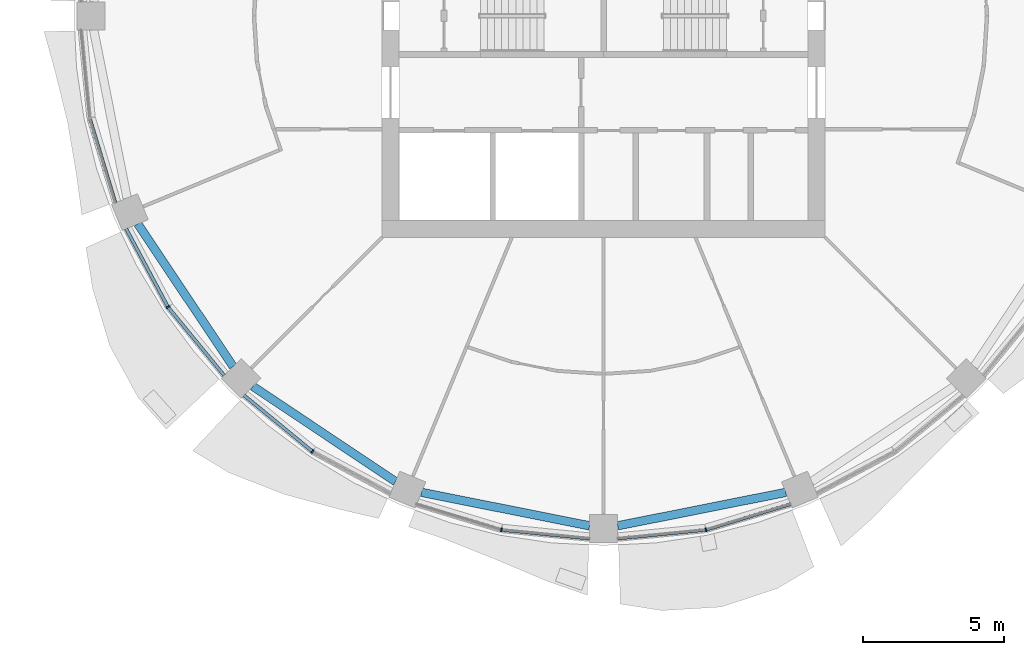
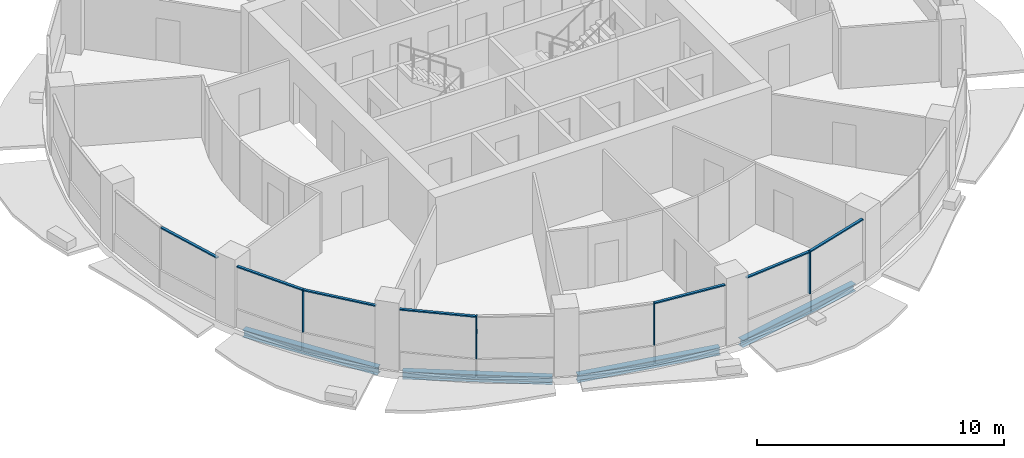
# One storey, part 2 of 15: 11 members, 4 beams, 5 elements without a shape of their own.
"""IFC4 building model written with IfcOpenShell, lengths in metres."""

from ifc_helpers import new_model, si_unit, direction, frame, origin, origin_2d, place, context, subcontext, project, spatial, rectangle, i_section, extrude, material, material_profile, profile_set, type_object, element, aggregate, save


model = new_model("IFC4")

# Units and contexts
model_context = context("Model", 3, precision=1e-05, world=origin(), true_north=direction((0.0, 1.0)))
body_context = subcontext(model_context, "Body", "Model", "MODEL_VIEW")
ifc_project = project(units=[si_unit("LENGTHUNIT", "METRE"), si_unit("AREAUNIT", "SQUARE_METRE"), si_unit("VOLUMEUNIT", "CUBIC_METRE"), si_unit("PLANEANGLEUNIT", "RADIAN"), si_unit("MASSUNIT", "GRAM", prefix="KILO")], contexts=[model_context])

# Site, building, storey
site_placement = place(None, origin())
site = spatial("IfcSite", under=ifc_project, at=site_placement, CompositionType="ELEMENT")
building_placement = place(site_placement, origin())
building = spatial("IfcBuilding", under=site, at=building_placement, Name="Polderwave Tower", CompositionType="ELEMENT")
storey_placement = place(building_placement, frame((0.0, 0.0, 157.800048828125)))
storey = spatial("IfcBuildingStorey", under=building, at=storey_placement, Name="L42", CompositionType="ELEMENT", Elevation=157.800048828125)

# Curtain wall, member
ifc_material_1 = material(Name="Aluminium 6063-T6 and glass", Category="aluminium")
curtain_wall_type = type_object("IfcCurtainWallType", Name="Office ribbon glazing wall", PredefinedType="NOTDEFINED", material=ifc_material_1)
curtain_wall_1_placement = place(storey_placement, origin())
curtain_wall_1 = element("IfcCurtainWall", 1, at=curtain_wall_1_placement, inside=storey, type_object=curtain_wall_type, Name="CW3 L42 09", PredefinedType="NOTDEFINED")
ifc_material_2 = material(Name="Aluminium 6063-T6", Category="aluminium")
ifc_material_profile_1 = material_profile(ifc_material_2, rectangle(XDim=0.139892578125, YDim=0.054931640625, at=origin_2d()), Name="AL 55x140")
ifc_profile_set_1 = profile_set([ifc_material_profile_1], Name="Aluminium 6063-T6")
member_type_1 = type_object("IfcMemberType", Name="Office ribbon glazing mullion 55x140", PredefinedType="MULLION", material=ifc_profile_set_1)
member_1_placement = place(storey_placement, frame((-15.489990234375, -10.35009765625, 0.89990234375), z_axis=(0.0, 0.0, 1.0), x_axis=(0.831484156812, 0.555548465006, 0.0)))
member_1 = element("IfcMember", 2, at=member_1_placement, type_object=member_type_1, Name="CW3 mullion 1", PredefinedType="MULLION", context=body_context, shape_type="SweptSolid", body=[
    extrude(rectangle(XDim=0.139892578125, YDim=0.054931640625, at=origin_2d()), origin(), (0.0, 0.0, 1.0), 2.10009765625),
])

curtain_wall_2_placement = place(storey_placement, origin())
curtain_wall_2 = element("IfcCurtainWall", 3, at=curtain_wall_2_placement, inside=storey, type_object=curtain_wall_type, Name="CW3 L42 10", PredefinedType="NOTDEFINED")
member_2_placement = place(storey_placement, frame((-10.35009765625, -15.489990234375, 0.89990234375), z_axis=(0.0, 0.0, 1.0), x_axis=(0.555548465006, 0.831484156812, 0.0)))
member_2 = element("IfcMember", 4, at=member_2_placement, type_object=member_type_1, Name="CW3 mullion 1", PredefinedType="MULLION", context=body_context, shape_type="SweptSolid", body=[
    extrude(rectangle(XDim=0.139892578125, YDim=0.054931640625, at=origin_2d()), origin(), (0.0, 0.0, 1.0), 2.10009765625),
])

curtain_wall_3_placement = place(storey_placement, origin())
curtain_wall_3 = element("IfcCurtainWall", 5, at=curtain_wall_3_placement, inside=storey, type_object=curtain_wall_type, Name="CW3 L42 11", PredefinedType="NOTDEFINED")
member_3_placement = place(storey_placement, frame((-3.635009765625, -18.27197265625, 0.89990234375), z_axis=(0.0, 0.0, 1.0), x_axis=(0.195083474838, 0.980786642367, 0.0)))
member_3 = element("IfcMember", 6, at=member_3_placement, type_object=member_type_1, Name="CW3 mullion 1", PredefinedType="MULLION", context=body_context, shape_type="SweptSolid", body=[
    extrude(rectangle(XDim=0.139892578125, YDim=0.054931640625, at=origin_2d()), origin(), (0.0, 0.0, 1.0), 2.10009765625),
])

curtain_wall_4_placement = place(storey_placement, origin())
curtain_wall_4 = element("IfcCurtainWall", 7, at=curtain_wall_4_placement, inside=storey, type_object=curtain_wall_type, Name="CW3 L42 12", PredefinedType="NOTDEFINED")
member_4_placement = place(storey_placement, frame((3.635009765625, -18.27197265625, 0.89990234375), z_axis=(0.0, 0.0, 1.0), x_axis=(-0.195083474838, 0.980786642367, 0.0)))
member_4 = element("IfcMember", 8, at=member_4_placement, type_object=member_type_1, Name="CW3 mullion 1", PredefinedType="MULLION", context=body_context, shape_type="SweptSolid", body=[
    extrude(rectangle(XDim=0.139892578125, YDim=0.054931640625, at=origin_2d()), origin(), (0.0, 0.0, 1.0), 2.10009765625),
])

curtain_wall_5_placement = place(storey_placement, origin())
curtain_wall_5 = element("IfcCurtainWall", 9, at=curtain_wall_5_placement, inside=storey, type_object=curtain_wall_type, Name="CW3 L42 08", PredefinedType="NOTDEFINED")
ifc_material_profile_2 = material_profile(ifc_material_2, rectangle(XDim=0.1201171875, YDim=0.06005859375, at=origin_2d()), Name="AL 60x120")
ifc_profile_set_2 = profile_set([ifc_material_profile_2], Name="Aluminium 6063-T6")
member_type_2 = type_object("IfcMemberType", Name="Office ribbon glazing transom 60x120", PredefinedType="USERDEFINED", material=ifc_profile_set_2)
member_5_placement = place(storey_placement, frame((-18.263916015625, -3.661376953125, 2.969970703125), z_axis=(0.290209241883, -0.956963215555, 0.0), x_axis=(0.956963215555, 0.290209241883, 0.0)))
member_5 = element("IfcMember", 10, at=member_5_placement, type_object=member_type_2, Name="CW3 transom 2", ObjectType="TRANSOM", PredefinedType="USERDEFINED", context=body_context, shape_type="SweptSolid", body=[
    extrude(rectangle(XDim=0.1201171875, YDim=0.06005859375, at=origin_2d()), origin(), (0.0, 0.0, 1.0), 3.121826171875),
])
aggregate(curtain_wall_5, [member_5])

# Member
member_6_placement = place(storey_placement, frame((-16.97509765625, -7.572021484375, 2.969970703125), z_axis=(0.471472684712, -0.881880665153, 0.0), x_axis=(0.881880665153, 0.471472684712, 0.0)))
member_6 = element("IfcMember", 11, at=member_6_placement, type_object=member_type_2, Name="CW3 transom 1", ObjectType="TRANSOM", PredefinedType="USERDEFINED", context=body_context, shape_type="SweptSolid", body=[
    extrude(rectangle(XDim=0.1201171875, YDim=0.06005859375, at=origin_2d()), origin(), (0.0, 0.0, 1.0), 3.12255859375),
])

member_7_placement = place(storey_placement, frame((-15.47265625, -10.371337890625, 2.969970703125), z_axis=(0.634382512988, -0.773019292913, 0.0), x_axis=(0.773019292913, 0.634382512988, 0.0)))
member_7 = element("IfcMember", 12, at=member_7_placement, type_object=member_type_2, Name="CW3 transom 2", ObjectType="TRANSOM", PredefinedType="USERDEFINED", context=body_context, shape_type="SweptSolid", body=[
    extrude(rectangle(XDim=0.1201171875, YDim=0.06005859375, at=origin_2d()), origin(), (0.0, 0.0, 1.0), 3.122314453125),
])

aggregate(curtain_wall_1, [member_1, member_6, member_7])

member_8_placement = place(storey_placement, frame((-12.784912109375, -13.491943359375, 2.969970703125), z_axis=(0.773019292913, -0.634382512988, 0.0), x_axis=(0.634382512988, 0.773019292913, 0.0)))
member_8 = element("IfcMember", 13, at=member_8_placement, type_object=member_type_2, Name="CW3 transom 1", ObjectType="TRANSOM", PredefinedType="USERDEFINED", context=body_context, shape_type="SweptSolid", body=[
    extrude(rectangle(XDim=0.1201171875, YDim=0.06005859375, at=origin_2d()), origin(), (0.0, 0.0, 1.0), 3.122314453125),
])

aggregate(curtain_wall_2, [member_2, member_8])

member_9_placement = place(storey_placement, frame((-3.607666015625, -18.274658203125, 2.969970703125), z_axis=(0.995174785119, -0.098118026186, 0.0), x_axis=(0.098118026186, 0.995174785119, 0.0)))
member_9 = element("IfcMember", 14, at=member_9_placement, type_object=member_type_2, Name="CW3 transom 2", ObjectType="TRANSOM", PredefinedType="USERDEFINED", context=body_context, shape_type="SweptSolid", body=[
    extrude(rectangle(XDim=0.1201171875, YDim=0.06005859375, at=origin_2d()), origin(), (0.0, 0.0, 1.0), 3.122802734375),
])

aggregate(curtain_wall_3, [member_3, member_9])

member_10_placement = place(storey_placement, frame((0.5, -18.5810546875, 2.969970703125), z_axis=(0.995174785119, 0.098118026186, 0.0), x_axis=(-0.098118026186, 0.995174785119, 0.0)))
member_10 = element("IfcMember", 15, at=member_10_placement, type_object=member_type_2, Name="CW3 transom 1", ObjectType="TRANSOM", PredefinedType="USERDEFINED", context=body_context, shape_type="SweptSolid", body=[
    extrude(rectangle(XDim=0.1201171875, YDim=0.06005859375, at=origin_2d()), origin(), (0.0, 0.0, 1.0), 3.122802734375),
])

member_11_placement = place(storey_placement, frame((3.661376953125, -18.263916015625, 2.969970703125), z_axis=(0.956963215555, 0.290209241883, 0.0), x_axis=(-0.290209241883, 0.956963215555, 0.0)))
member_11 = element("IfcMember", 16, at=member_11_placement, type_object=member_type_2, Name="CW3 transom 2", ObjectType="TRANSOM", PredefinedType="USERDEFINED", context=body_context, shape_type="SweptSolid", body=[
    extrude(rectangle(XDim=0.1201171875, YDim=0.06005859375, at=origin_2d()), origin(), (0.0, 0.0, 1.0), 3.121826171875),
])

aggregate(curtain_wall_4, [member_4, member_10, member_11])

# Beams
ifc_material_3 = material(Name="Steel S355", Category="steel")
ifc_material_profile_3 = material_profile(ifc_material_3, i_section(OverallWidth=0.300048828125, OverallDepth=0.360107421875, WebThickness=0.012451171875, FlangeThickness=0.0224609375, at=origin_2d()), Name="HE 360 B")
ifc_profile_set_3 = profile_set([ifc_material_profile_3], Name="Steel S355")
beam_type = type_object("IfcBeamType", Name="RING BEAM HE 360 B", PredefinedType="BEAM", material=ifc_profile_set_3)
for number, where, z_axis, x_axis, name in (
    (17, (-16.55908203125, -7.400146484375, -0.530029296875), (0.555550531273, -0.831482776251, 0.0), (0.831482776251, 0.555550531273, 0.0), "ST-RB-L42-09"),
    (18, (-12.466796875, -13.173828125, -0.530029296875), (0.831482776251, -0.555550531273, 0.0), (0.555550531273, 0.831482776251, 0.0), "ST-RB-L42-10"),
    (19, (-6.476318359375, -16.94189453125, -0.530029296875), (0.980786628445, -0.19508354483, 0.0), (0.19508354483, 0.980786628445, 0.0), "ST-RB-L42-11"),
    (20, (0.5, -18.130615234375, -0.530029296875), (0.980786628445, 0.19508354483, 0.0), (-0.19508354483, 0.980786628445, 0.0), "ST-RB-L42-12"),
):
    element("IfcBeam", number, at=place(storey_placement, frame(where, z_axis=z_axis, x_axis=x_axis)), inside=storey, type_object=beam_type, Name=name, PredefinedType="BEAM", context=body_context, shape_type="SweptSolid", body=[
        extrude(i_section(OverallWidth=0.300048828125, OverallDepth=0.360107421875, WebThickness=0.012451171875, FlangeThickness=0.0224609375, at=origin_2d()), origin(), (0.0, 0.0, 1.0), 6.093505859375),
    ])

save(model, "model.ifc")
